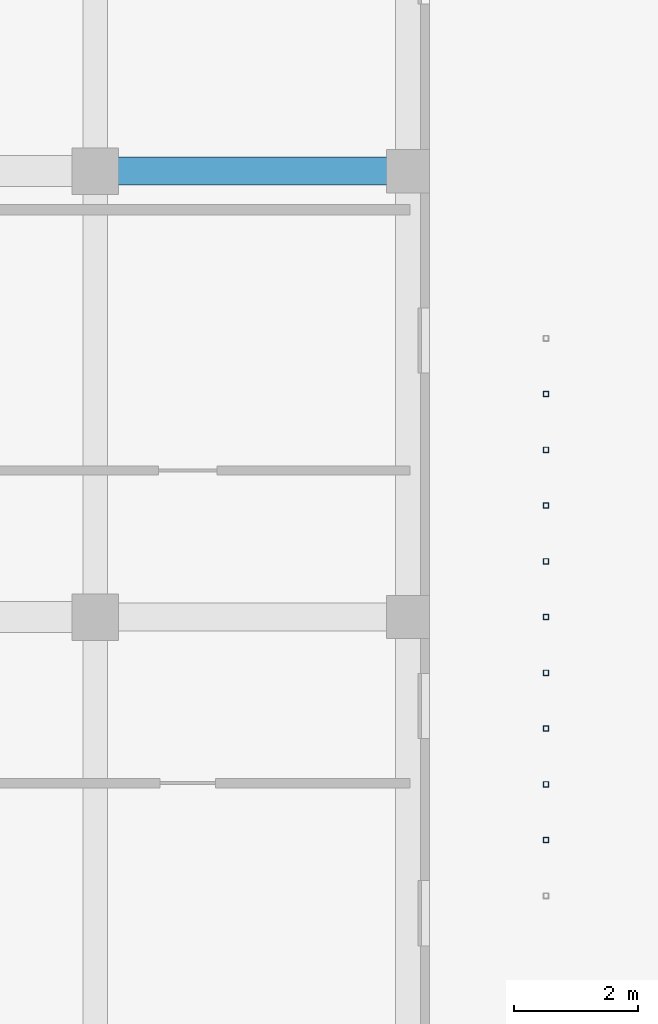
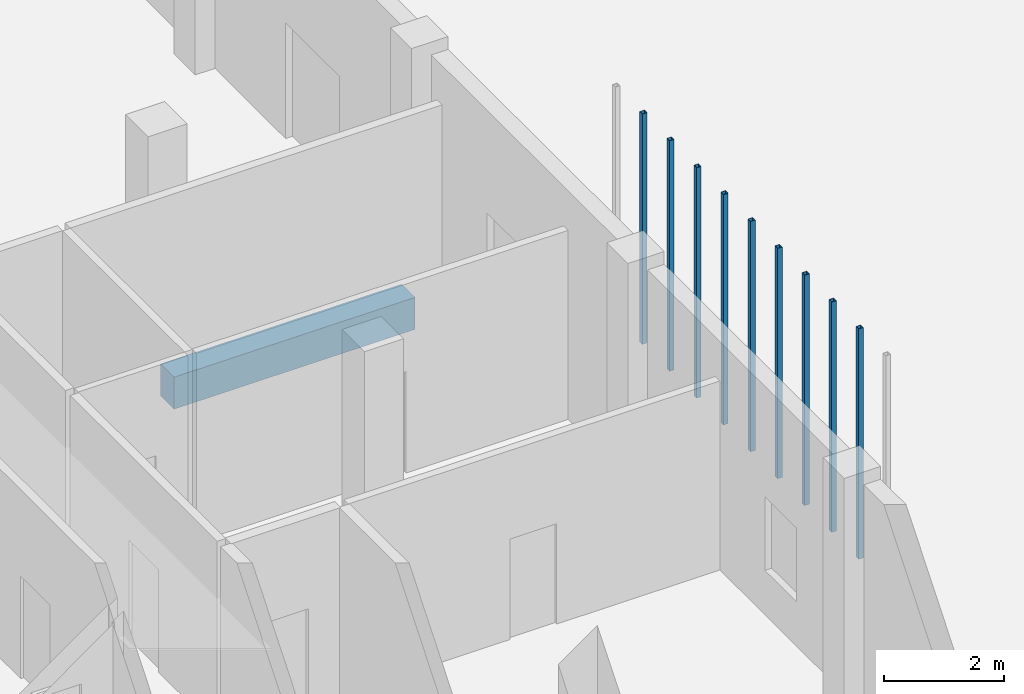
# One storey, part 16 of 85: 9 members, 1 beam.
"""IFC4 building model written with IfcOpenShell, lengths in metres."""

from ifc_helpers import new_model, si_unit, derived_unit, direction, frame, origin, origin_2d, place, context, subcontext, project, spatial, rectangle, hollow_rectangle, extrude, material, material_profile, profile_set, type_object, element, save


model = new_model("IFC4")

# Units and contexts
model_context = context("Model", 3, precision=1e-05, world=origin(), true_north=direction((0.0, 1.0)))
body_context = subcontext(model_context, "Body", "Model", "MODEL_VIEW")
ifc_project = project(units=[si_unit("LENGTHUNIT", "METRE"), si_unit("AREAUNIT", "SQUARE_METRE"), si_unit("VOLUMEUNIT", "CUBIC_METRE"), si_unit("PLANEANGLEUNIT", "RADIAN"), si_unit("MASSUNIT", "GRAM", prefix="KILO"), derived_unit("THERMALTRANSMITTANCEUNIT", [(si_unit("MASSUNIT", "GRAM", prefix="KILO"), 1), (si_unit("TIMEUNIT", "SECOND"), -3), (si_unit("THERMODYNAMICTEMPERATUREUNIT", "KELVIN"), -1)])], contexts=[model_context])

# Site, building, storey
site_placement = place(None, origin())
site = spatial("IfcSite", under=ifc_project, at=site_placement, CompositionType="ELEMENT")
building_placement = place(site_placement, origin())
building = spatial("IfcBuilding", under=site, at=building_placement, Name="Ochrekiln Boulevard Commons", CompositionType="ELEMENT")
storey_placement = place(building_placement, origin())
storey = spatial("IfcBuildingStorey", under=building, at=storey_placement, Name="L00", CompositionType="ELEMENT", Elevation=0.0)

# Beam
ifc_material_1 = material(Name="Concrete C35/45", Category="concrete")
ifc_material_profile_1 = material_profile(ifc_material_1, rectangle(XDim=0.449951171875, YDim=0.64990234375, at=origin_2d()), Name="RC-BM-450x650")
ifc_profile_set_1 = profile_set([ifc_material_profile_1], Name="Concrete C35/45")
beam_type = type_object("IfcBeamType", Name="BM-RC-450x650", PredefinedType="BEAM", material=ifc_profile_set_1)
beam_placement = place(storey_placement, frame((16.409912109375, 90.0, -0.60498046875), z_axis=(1.0, 0.0, 0.0), x_axis=(0.0, 1.0, 0.0)))
element("IfcBeam", 1, at=beam_placement, inside=storey, type_object=beam_type, Name="Block A L00 Beam B-4565 X11", PredefinedType="BEAM", context=body_context, shape_type="SweptSolid", body=[
    extrude(rectangle(XDim=0.449951171875, YDim=0.64990234375, at=origin_2d()), origin(), (0.0, 0.0, 1.0), 4.630126953125),
])

# Members
ifc_material_2 = material(Name="Steel A500 Grade C", Category="steel")
ifc_material_profile_2 = material_profile(ifc_material_2, hollow_rectangle(XDim=0.090087890625, YDim=0.090087890625, WallThickness=0.00634765625, at=origin_2d()), Name="HSS90X90X6.4")
ifc_profile_set_2 = profile_set([ifc_material_profile_2], Name="Steel A500 Grade C")
member_type = type_object("IfcMemberType", Name="MEM-PST-HSS90", PredefinedType="POST", material=ifc_profile_set_2)
for number, where, z_axis, x_axis, name in (
    (2, (23.47998046875, 79.199951171875, 0.0), (0.0, 0.0, 1.0), (1.0, 0.0, 0.0), "Block A L00 Slim Vertical Balcony Post (2)"),
    (3, (23.47998046875, 80.10009765625, 0.0), (0.0, 0.0, 1.0), (1.0, 0.0, 0.0), "Block A L00 Slim Vertical Balcony Post (3)"),
    (4, (23.47998046875, 81.0, 0.0), (0.0, 0.0, 1.0), (1.0, 0.0, 0.0), "Block A L00 Slim Vertical Balcony Post (4)"),
    (5, (23.47998046875, 81.89990234375, 0.0), (0.0, 0.0, 1.0), (1.0, 0.0, 0.0), "Block A L00 Slim Vertical Balcony Post (5)"),
    (6, (23.47998046875, 82.800048828125, 0.0), (0.0, 0.0, 1.0), (1.0, 0.0, 0.0), "Block A L00 Slim Vertical Balcony Post (6)"),
    (7, (23.47998046875, 83.699951171875, 0.0), (0.0, 0.0, 1.0), (1.0, 0.0, 0.0), "Block A L00 Slim Vertical Balcony Post (7)"),
    (8, (23.47998046875, 84.60009765625, 0.0), (0.0, 0.0, 1.0), (1.0, 0.0, 0.0), "Block A L00 Slim Vertical Balcony Post (8)"),
    (9, (23.47998046875, 85.5, 0.0), (0.0, 0.0, 1.0), (1.0, 0.0, 0.0), "Block A L00 Slim Vertical Balcony Post (9)"),
    (10, (23.47998046875, 86.39990234375, 0.0), (0.0, 0.0, 1.0), (1.0, 0.0, 0.0), "Block A L00 Slim Vertical Balcony Post (10)"),
):
    element("IfcMember", number, at=place(storey_placement, frame(where, z_axis=z_axis, x_axis=x_axis)), inside=storey, type_object=member_type, Name=name, PredefinedType="POST", context=body_context, shape_type="SweptSolid", body=[
        extrude(hollow_rectangle(XDim=0.090087890625, YDim=0.090087890625, WallThickness=0.00634765625, at=origin_2d()), origin(), (0.0, 0.0, 1.0), 4.679931640625),
    ])

save(model, "model.ifc")
